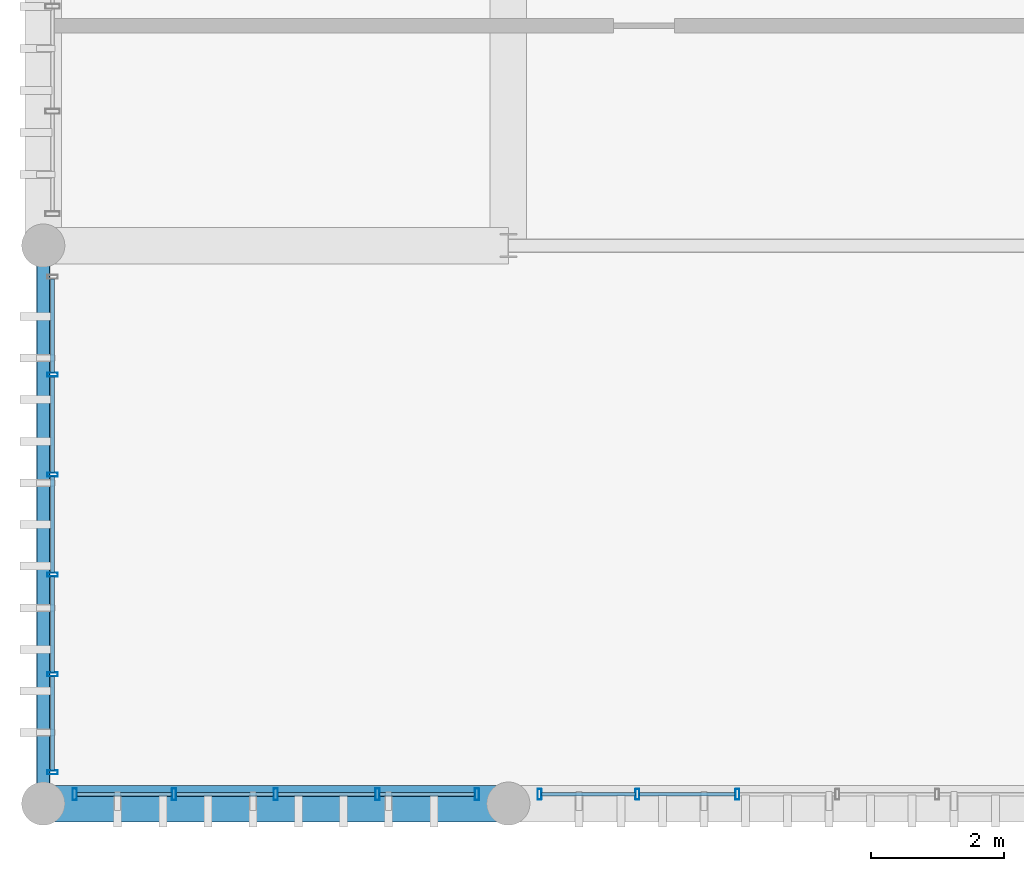
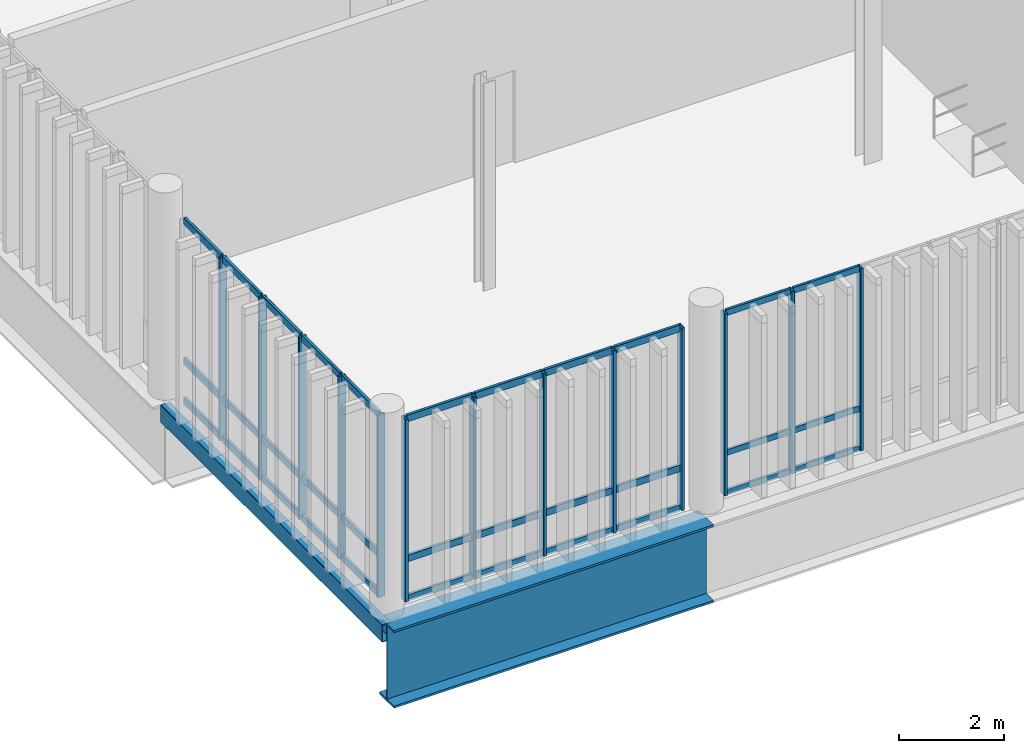
# One storey, part 6 of 81: 46 members, 2 beams, 3 elements without a shape of their own.
"""IFC4 building model written with IfcOpenShell, lengths in metres."""

from ifc_helpers import new_model, si_unit, direction, frame, origin_with_axes, origin_2d_with_axis, place, context, subcontext, project, spatial, hollow_rectangle, i_section, extrude, material, material_profile, profile_set, type_object, element, aggregate, save


model = new_model("IFC4")

# Units and contexts
model_context = context("Model", 3, precision=1e-05, world=origin_with_axes(), true_north=direction((0.0, 1.0)))
body_context = subcontext(model_context, "Body", "Model", "MODEL_VIEW")
ifc_project = project(units=[si_unit("LENGTHUNIT", "METRE"), si_unit("AREAUNIT", "SQUARE_METRE"), si_unit("VOLUMEUNIT", "CUBIC_METRE"), si_unit("PLANEANGLEUNIT", "RADIAN"), si_unit("MASSUNIT", "GRAM", prefix="KILO"), si_unit("THERMODYNAMICTEMPERATUREUNIT", "KELVIN")], contexts=[model_context])

# Site, building, storey
site_placement = place(None, origin_with_axes())
site = spatial("IfcSite", under=ifc_project, at=site_placement, CompositionType="ELEMENT")
building_placement = place(site_placement, origin_with_axes())
building = spatial("IfcBuilding", under=site, at=building_placement, Name="Montbau Bow Law Courts", CompositionType="ELEMENT")
storey_placement = place(building_placement, frame((0.0, 0.0, 24.9), z_axis=(0.0, 0.0, 1.0), x_axis=(1.0, 0.0, 0.0)))
storey = spatial("IfcBuildingStorey", under=building, at=storey_placement, Name="L05", CompositionType="ELEMENT", Elevation=24.9)

# Beams
ifc_material_1 = material(Name="Steel CSA G40.21 Grade 350WT (350 MPa)", Category="steel")
ifc_material_profile_1 = material_profile(ifc_material_1, hollow_rectangle(XDim=0.203, YDim=0.406, WallThickness=0.0127, InnerFilletRadius=0.0254, OuterFilletRadius=0.0127, at=origin_2d_with_axis()), Name="HSS406X203X13", Category="Main", Priority=0)
ifc_profile_set_1 = profile_set([ifc_material_profile_1], Name="Steel CSA G40.21 Grade 350WT (350 MPa)")
beam_type_1 = type_object("IfcBeamType", Name="B-SPN-01", PredefinedType="SPANDREL", material=ifc_profile_set_1)
beam_1_placement = place(None, frame((6.8, 30.6, 24.397), z_axis=(0.0, 1.0, 0.0), x_axis=(-1.0, 0.0, 0.0)))
element("IfcBeam", 1, at=beam_1_placement, inside=storey, type_object=beam_type_1, Name="SPN-L05-S0662:bm2_0665", PredefinedType="SPANDREL", context=body_context, shape_type="SweptSolid", body=[
    extrude(hollow_rectangle(XDim=0.203, YDim=0.406, WallThickness=0.0127, InnerFilletRadius=0.0254, OuterFilletRadius=0.0127, at=origin_2d_with_axis()), origin_with_axes(), (0.0, 0.0, 1.0), 8.4),
])
ifc_material_profile_2 = material_profile(ifc_material_1, i_section(OverallWidth=0.55, OverallDepth=1.8, WebThickness=0.022, FlangeThickness=0.05, at=origin_2d_with_axis()), Name="WWF1800X550", Category="Main", Priority=0)
ifc_profile_set_2 = profile_set([ifc_material_profile_2], Name="Steel CSA G40.21 Grade 350WT (350 MPa)")
beam_type_2 = type_object("IfcBeamType", Name="B-TRG-01", PredefinedType="USERDEFINED", material=ifc_profile_set_2)
beam_2_placement = place(None, frame((6.8, 30.6, 23.7), z_axis=(1.0, 0.0, 0.0), x_axis=(0.0, 1.0, 0.0)))
element("IfcBeam", 2, at=beam_2_placement, inside=storey, type_object=beam_type_2, Name="TRG-L05-S0044:bm2_0047", ObjectType="GIRDER", PredefinedType="USERDEFINED", context=body_context, shape_type="SweptSolid", body=[
    extrude(i_section(OverallWidth=0.55, OverallDepth=1.8, WebThickness=0.022, FlangeThickness=0.05, at=origin_2d_with_axis()), origin_with_axes(), (0.0, 0.0, 1.0), 7.0),
])

# Curtain wall, members
ifc_material_2 = material(Name="Thermally Broken Extruded Aluminium AA 6063-T6", Category="aluminium")
curtain_wall_type = type_object("IfcCurtainWallType", Name="CW-TRC-02", PredefinedType="NOTDEFINED", material=ifc_material_2)
curtain_wall_1_placement = place(None, frame((7.24, 30.74, 24.9), z_axis=(0.0, 0.0, 1.0), x_axis=(1.0, 0.0, 0.0)))
curtain_wall_1 = element("IfcCurtainWall", 3, at=curtain_wall_1_placement, inside=storey, type_object=curtain_wall_type, Name="CW-L05-076:cw_0076", PredefinedType="NOTDEFINED")
ifc_material_profile_3 = material_profile(ifc_material_2, hollow_rectangle(XDim=0.065, YDim=0.18, WallThickness=0.005, InnerFilletRadius=0.01, OuterFilletRadius=0.005, at=origin_2d_with_axis()), Name="CWM-180X65", Category="Main", Priority=0)
ifc_profile_set_3 = profile_set([ifc_material_profile_3], Name="Thermally Broken Extruded Aluminium AA 6063-T6")
member_type_1 = type_object("IfcMemberType", Name="M-MUL-02", PredefinedType="MULLION", material=ifc_profile_set_3)
member_1_placement = place(None, frame((7.273, 30.74, 24.9), z_axis=(0.0, 0.0, 1.0), x_axis=(1.0, 0.0, 0.0)))
member_1 = element("IfcMember", 4, at=member_1_placement, type_object=member_type_1, Name="CW-L05-076-M01:cw_0076_M01", PredefinedType="MULLION", context=body_context, shape_type="SweptSolid", body=[
    extrude(hollow_rectangle(XDim=0.065, YDim=0.18, WallThickness=0.005, InnerFilletRadius=0.01, OuterFilletRadius=0.005, at=origin_2d_with_axis()), origin_with_axes(), (0.0, 0.0, 1.0), 4.22),
])
member_2_placement = place(None, frame((8.77, 30.74, 24.9), z_axis=(0.0, 0.0, 1.0), x_axis=(1.0, 0.0, 0.0)))
member_2 = element("IfcMember", 5, at=member_2_placement, type_object=member_type_1, Name="CW-L05-076-M02:cw_0076_M02", PredefinedType="MULLION", context=body_context, shape_type="SweptSolid", body=[
    extrude(hollow_rectangle(XDim=0.065, YDim=0.18, WallThickness=0.005, InnerFilletRadius=0.01, OuterFilletRadius=0.005, at=origin_2d_with_axis()), origin_with_axes(), (0.0, 0.0, 1.0), 4.22),
])
member_3_placement = place(None, frame((10.3, 30.74, 24.9), z_axis=(0.0, 0.0, 1.0), x_axis=(1.0, 0.0, 0.0)))
member_3 = element("IfcMember", 6, at=member_3_placement, type_object=member_type_1, Name="CW-L05-076-M03:cw_0076_M03", PredefinedType="MULLION", context=body_context, shape_type="SweptSolid", body=[
    extrude(hollow_rectangle(XDim=0.065, YDim=0.18, WallThickness=0.005, InnerFilletRadius=0.01, OuterFilletRadius=0.005, at=origin_2d_with_axis()), origin_with_axes(), (0.0, 0.0, 1.0), 4.22),
])
member_4_placement = place(None, frame((11.83, 30.74, 24.9), z_axis=(0.0, 0.0, 1.0), x_axis=(1.0, 0.0, 0.0)))
member_4 = element("IfcMember", 7, at=member_4_placement, type_object=member_type_1, Name="CW-L05-076-M04:cw_0076_M04", PredefinedType="MULLION", context=body_context, shape_type="SweptSolid", body=[
    extrude(hollow_rectangle(XDim=0.065, YDim=0.18, WallThickness=0.005, InnerFilletRadius=0.01, OuterFilletRadius=0.005, at=origin_2d_with_axis()), origin_with_axes(), (0.0, 0.0, 1.0), 4.22),
])
member_5_placement = place(None, frame((13.327, 30.74, 24.9), z_axis=(0.0, 0.0, 1.0), x_axis=(1.0, 0.0, 0.0)))
member_5 = element("IfcMember", 8, at=member_5_placement, type_object=member_type_1, Name="CW-L05-076-M05:cw_0076_M05", PredefinedType="MULLION", context=body_context, shape_type="SweptSolid", body=[
    extrude(hollow_rectangle(XDim=0.065, YDim=0.18, WallThickness=0.005, InnerFilletRadius=0.01, OuterFilletRadius=0.005, at=origin_2d_with_axis()), origin_with_axes(), (0.0, 0.0, 1.0), 4.22),
])

curtain_wall_2_placement = place(None, frame((14.24, 30.74, 24.9), z_axis=(0.0, 0.0, 1.0), x_axis=(1.0, 0.0, 0.0)))
curtain_wall_2 = element("IfcCurtainWall", 9, at=curtain_wall_2_placement, inside=storey, type_object=curtain_wall_type, Name="CW-L05-077:cw_0077", PredefinedType="NOTDEFINED")
ifc_material_profile_4 = material_profile(ifc_material_2, hollow_rectangle(XDim=0.06, YDim=0.16, WallThickness=0.004, InnerFilletRadius=0.008, OuterFilletRadius=0.004, at=origin_2d_with_axis()), Name="CWM-160X60", Category="Main", Priority=0)
ifc_profile_set_4 = profile_set([ifc_material_profile_4], Name="Thermally Broken Extruded Aluminium AA 6063-T6")
member_type_2 = type_object("IfcMemberType", Name="M-MUL-03", PredefinedType="MULLION", material=ifc_profile_set_4)
member_6_placement = place(None, frame((14.27, 30.74, 24.9), z_axis=(0.0, 0.0, 1.0), x_axis=(1.0, 0.0, 0.0)))
member_6 = element("IfcMember", 10, at=member_6_placement, type_object=member_type_2, Name="CW-L05-077-M01:cw_0077_M01", PredefinedType="MULLION", context=body_context, shape_type="SweptSolid", body=[
    extrude(hollow_rectangle(XDim=0.06, YDim=0.16, WallThickness=0.004, InnerFilletRadius=0.008, OuterFilletRadius=0.004, at=origin_2d_with_axis()), origin_with_axes(), (0.0, 0.0, 1.0), 4.22),
])
member_7_placement = place(None, frame((15.744, 30.74, 24.9), z_axis=(0.0, 0.0, 1.0), x_axis=(1.0, 0.0, 0.0)))
member_7 = element("IfcMember", 11, at=member_7_placement, type_object=member_type_2, Name="CW-L05-077-M02:cw_0077_M02", PredefinedType="MULLION", context=body_context, shape_type="SweptSolid", body=[
    extrude(hollow_rectangle(XDim=0.06, YDim=0.16, WallThickness=0.004, InnerFilletRadius=0.008, OuterFilletRadius=0.004, at=origin_2d_with_axis()), origin_with_axes(), (0.0, 0.0, 1.0), 4.22),
])
member_8_placement = place(None, frame((17.248, 30.74, 24.9), z_axis=(0.0, 0.0, 1.0), x_axis=(1.0, 0.0, 0.0)))
member_8 = element("IfcMember", 12, at=member_8_placement, type_object=member_type_2, Name="CW-L05-077-M03:cw_0077_M03", PredefinedType="MULLION", context=body_context, shape_type="SweptSolid", body=[
    extrude(hollow_rectangle(XDim=0.06, YDim=0.16, WallThickness=0.004, InnerFilletRadius=0.008, OuterFilletRadius=0.004, at=origin_2d_with_axis()), origin_with_axes(), (0.0, 0.0, 1.0), 4.22),
])

curtain_wall_3_placement = place(None, frame((6.94, 31.04, 24.9), z_axis=(0.0, 0.0, 1.0), x_axis=(1.0, 0.0, 0.0)))
curtain_wall_3 = element("IfcCurtainWall", 13, at=curtain_wall_3_placement, inside=storey, type_object=curtain_wall_type, Name="CW-L05-086:cw_0086", PredefinedType="NOTDEFINED")
member_9_placement = place(None, frame((6.94, 31.07, 24.9), z_axis=(0.0, 0.0, 1.0), x_axis=(0.0, 1.0, 0.0)))
member_9 = element("IfcMember", 14, at=member_9_placement, type_object=member_type_2, Name="CW-L05-086-M01:cw_0086_M01", PredefinedType="MULLION", context=body_context, shape_type="SweptSolid", body=[
    extrude(hollow_rectangle(XDim=0.06, YDim=0.16, WallThickness=0.004, InnerFilletRadius=0.008, OuterFilletRadius=0.004, at=origin_2d_with_axis()), origin_with_axes(), (0.0, 0.0, 1.0), 4.22),
])
member_10_placement = place(None, frame((6.94, 32.544, 24.9), z_axis=(0.0, 0.0, 1.0), x_axis=(0.0, 1.0, 0.0)))
member_10 = element("IfcMember", 15, at=member_10_placement, type_object=member_type_2, Name="CW-L05-086-M02:cw_0086_M02", PredefinedType="MULLION", context=body_context, shape_type="SweptSolid", body=[
    extrude(hollow_rectangle(XDim=0.06, YDim=0.16, WallThickness=0.004, InnerFilletRadius=0.008, OuterFilletRadius=0.004, at=origin_2d_with_axis()), origin_with_axes(), (0.0, 0.0, 1.0), 4.22),
])
member_11_placement = place(None, frame((6.94, 34.048, 24.9), z_axis=(0.0, 0.0, 1.0), x_axis=(0.0, 1.0, 0.0)))
member_11 = element("IfcMember", 16, at=member_11_placement, type_object=member_type_2, Name="CW-L05-086-M03:cw_0086_M03", PredefinedType="MULLION", context=body_context, shape_type="SweptSolid", body=[
    extrude(hollow_rectangle(XDim=0.06, YDim=0.16, WallThickness=0.004, InnerFilletRadius=0.008, OuterFilletRadius=0.004, at=origin_2d_with_axis()), origin_with_axes(), (0.0, 0.0, 1.0), 4.22),
])
member_12_placement = place(None, frame((6.94, 35.552, 24.9), z_axis=(0.0, 0.0, 1.0), x_axis=(0.0, 1.0, 0.0)))
member_12 = element("IfcMember", 17, at=member_12_placement, type_object=member_type_2, Name="CW-L05-086-M04:cw_0086_M04", PredefinedType="MULLION", context=body_context, shape_type="SweptSolid", body=[
    extrude(hollow_rectangle(XDim=0.06, YDim=0.16, WallThickness=0.004, InnerFilletRadius=0.008, OuterFilletRadius=0.004, at=origin_2d_with_axis()), origin_with_axes(), (0.0, 0.0, 1.0), 4.22),
])
member_13_placement = place(None, frame((6.94, 37.056, 24.9), z_axis=(0.0, 0.0, 1.0), x_axis=(0.0, 1.0, 0.0)))
member_13 = element("IfcMember", 18, at=member_13_placement, type_object=member_type_2, Name="CW-L05-086-M05:cw_0086_M05", PredefinedType="MULLION", context=body_context, shape_type="SweptSolid", body=[
    extrude(hollow_rectangle(XDim=0.06, YDim=0.16, WallThickness=0.004, InnerFilletRadius=0.008, OuterFilletRadius=0.004, at=origin_2d_with_axis()), origin_with_axes(), (0.0, 0.0, 1.0), 4.22),
])

# Member
ifc_material_profile_5 = material_profile(ifc_material_2, hollow_rectangle(XDim=0.06, YDim=0.16, WallThickness=0.004, InnerFilletRadius=0.008, OuterFilletRadius=0.004, at=origin_2d_with_axis()), Name="CWT-160X60", Category="Main", Priority=0)
ifc_profile_set_5 = profile_set([ifc_material_profile_5], Name="Thermally Broken Extruded Aluminium AA 6063-T6")
member_type_3 = type_object("IfcMemberType", Name="M-TRN-01", PredefinedType="USERDEFINED", material=ifc_profile_set_5)
member_14_placement = place(None, frame((7.308, 30.74, 24.93), z_axis=(1.0, 0.0, 0.0), x_axis=(0.0, 1.0, 0.0)))
member_14 = element("IfcMember", 19, at=member_14_placement, type_object=member_type_3, Name="CW-L05-076-T01-1:cw_0076_T01_1", ObjectType="TRANSOM", PredefinedType="USERDEFINED", context=body_context, shape_type="SweptSolid", body=[
    extrude(hollow_rectangle(XDim=0.06, YDim=0.16, WallThickness=0.004, InnerFilletRadius=0.008, OuterFilletRadius=0.004, at=origin_2d_with_axis()), origin_with_axes(), (0.0, 0.0, 1.0), 1.428),
])

member_15_placement = place(None, frame((7.308, 30.74, 25.85), z_axis=(1.0, 0.0, 0.0), x_axis=(0.0, 1.0, 0.0)))
member_15 = element("IfcMember", 20, at=member_15_placement, type_object=member_type_3, Name="CW-L05-076-T01-2:cw_0076_T01_2", ObjectType="TRANSOM", PredefinedType="USERDEFINED", context=body_context, shape_type="SweptSolid", body=[
    extrude(hollow_rectangle(XDim=0.06, YDim=0.16, WallThickness=0.004, InnerFilletRadius=0.008, OuterFilletRadius=0.004, at=origin_2d_with_axis()), origin_with_axes(), (0.0, 0.0, 1.0), 1.428),
])

member_16_placement = place(None, frame((7.308, 30.74, 29.09), z_axis=(1.0, 0.0, 0.0), x_axis=(0.0, 1.0, 0.0)))
member_16 = element("IfcMember", 21, at=member_16_placement, type_object=member_type_3, Name="CW-L05-076-T01-3:cw_0076_T01_3", ObjectType="TRANSOM", PredefinedType="USERDEFINED", context=body_context, shape_type="SweptSolid", body=[
    extrude(hollow_rectangle(XDim=0.06, YDim=0.16, WallThickness=0.004, InnerFilletRadius=0.008, OuterFilletRadius=0.004, at=origin_2d_with_axis()), origin_with_axes(), (0.0, 0.0, 1.0), 1.428),
])

member_17_placement = place(None, frame((8.805, 30.74, 24.93), z_axis=(1.0, 0.0, 0.0), x_axis=(0.0, 1.0, 0.0)))
member_17 = element("IfcMember", 22, at=member_17_placement, type_object=member_type_3, Name="CW-L05-076-T02-1:cw_0076_T02_1", ObjectType="TRANSOM", PredefinedType="USERDEFINED", context=body_context, shape_type="SweptSolid", body=[
    extrude(hollow_rectangle(XDim=0.06, YDim=0.16, WallThickness=0.004, InnerFilletRadius=0.008, OuterFilletRadius=0.004, at=origin_2d_with_axis()), origin_with_axes(), (0.0, 0.0, 1.0), 1.461),
])

member_18_placement = place(None, frame((8.805, 30.74, 25.85), z_axis=(1.0, 0.0, 0.0), x_axis=(0.0, 1.0, 0.0)))
member_18 = element("IfcMember", 23, at=member_18_placement, type_object=member_type_3, Name="CW-L05-076-T02-2:cw_0076_T02_2", ObjectType="TRANSOM", PredefinedType="USERDEFINED", context=body_context, shape_type="SweptSolid", body=[
    extrude(hollow_rectangle(XDim=0.06, YDim=0.16, WallThickness=0.004, InnerFilletRadius=0.008, OuterFilletRadius=0.004, at=origin_2d_with_axis()), origin_with_axes(), (0.0, 0.0, 1.0), 1.461),
])

member_19_placement = place(None, frame((8.805, 30.74, 29.09), z_axis=(1.0, 0.0, 0.0), x_axis=(0.0, 1.0, 0.0)))
member_19 = element("IfcMember", 24, at=member_19_placement, type_object=member_type_3, Name="CW-L05-076-T02-3:cw_0076_T02_3", ObjectType="TRANSOM", PredefinedType="USERDEFINED", context=body_context, shape_type="SweptSolid", body=[
    extrude(hollow_rectangle(XDim=0.06, YDim=0.16, WallThickness=0.004, InnerFilletRadius=0.008, OuterFilletRadius=0.004, at=origin_2d_with_axis()), origin_with_axes(), (0.0, 0.0, 1.0), 1.461),
])

member_20_placement = place(None, frame((10.335, 30.74, 24.93), z_axis=(1.0, 0.0, 0.0), x_axis=(0.0, 1.0, 0.0)))
member_20 = element("IfcMember", 25, at=member_20_placement, type_object=member_type_3, Name="CW-L05-076-T03-1:cw_0076_T03_1", ObjectType="TRANSOM", PredefinedType="USERDEFINED", context=body_context, shape_type="SweptSolid", body=[
    extrude(hollow_rectangle(XDim=0.06, YDim=0.16, WallThickness=0.004, InnerFilletRadius=0.008, OuterFilletRadius=0.004, at=origin_2d_with_axis()), origin_with_axes(), (0.0, 0.0, 1.0), 1.461),
])

member_21_placement = place(None, frame((10.335, 30.74, 25.85), z_axis=(1.0, 0.0, 0.0), x_axis=(0.0, 1.0, 0.0)))
member_21 = element("IfcMember", 26, at=member_21_placement, type_object=member_type_3, Name="CW-L05-076-T03-2:cw_0076_T03_2", ObjectType="TRANSOM", PredefinedType="USERDEFINED", context=body_context, shape_type="SweptSolid", body=[
    extrude(hollow_rectangle(XDim=0.06, YDim=0.16, WallThickness=0.004, InnerFilletRadius=0.008, OuterFilletRadius=0.004, at=origin_2d_with_axis()), origin_with_axes(), (0.0, 0.0, 1.0), 1.461),
])

member_22_placement = place(None, frame((10.335, 30.74, 29.09), z_axis=(1.0, 0.0, 0.0), x_axis=(0.0, 1.0, 0.0)))
member_22 = element("IfcMember", 27, at=member_22_placement, type_object=member_type_3, Name="CW-L05-076-T03-3:cw_0076_T03_3", ObjectType="TRANSOM", PredefinedType="USERDEFINED", context=body_context, shape_type="SweptSolid", body=[
    extrude(hollow_rectangle(XDim=0.06, YDim=0.16, WallThickness=0.004, InnerFilletRadius=0.008, OuterFilletRadius=0.004, at=origin_2d_with_axis()), origin_with_axes(), (0.0, 0.0, 1.0), 1.461),
])

member_23_placement = place(None, frame((11.864, 30.74, 24.93), z_axis=(1.0, 0.0, 0.0), x_axis=(0.0, 1.0, 0.0)))
member_23 = element("IfcMember", 28, at=member_23_placement, type_object=member_type_3, Name="CW-L05-076-T04-1:cw_0076_T04_1", ObjectType="TRANSOM", PredefinedType="USERDEFINED", context=body_context, shape_type="SweptSolid", body=[
    extrude(hollow_rectangle(XDim=0.06, YDim=0.16, WallThickness=0.004, InnerFilletRadius=0.008, OuterFilletRadius=0.004, at=origin_2d_with_axis()), origin_with_axes(), (0.0, 0.0, 1.0), 1.429),
])

member_24_placement = place(None, frame((11.864, 30.74, 25.85), z_axis=(1.0, 0.0, 0.0), x_axis=(0.0, 1.0, 0.0)))
member_24 = element("IfcMember", 29, at=member_24_placement, type_object=member_type_3, Name="CW-L05-076-T04-2:cw_0076_T04_2", ObjectType="TRANSOM", PredefinedType="USERDEFINED", context=body_context, shape_type="SweptSolid", body=[
    extrude(hollow_rectangle(XDim=0.06, YDim=0.16, WallThickness=0.004, InnerFilletRadius=0.008, OuterFilletRadius=0.004, at=origin_2d_with_axis()), origin_with_axes(), (0.0, 0.0, 1.0), 1.429),
])

member_25_placement = place(None, frame((11.864, 30.74, 29.09), z_axis=(1.0, 0.0, 0.0), x_axis=(0.0, 1.0, 0.0)))
member_25 = element("IfcMember", 30, at=member_25_placement, type_object=member_type_3, Name="CW-L05-076-T04-3:cw_0076_T04_3", ObjectType="TRANSOM", PredefinedType="USERDEFINED", context=body_context, shape_type="SweptSolid", body=[
    extrude(hollow_rectangle(XDim=0.06, YDim=0.16, WallThickness=0.004, InnerFilletRadius=0.008, OuterFilletRadius=0.004, at=origin_2d_with_axis()), origin_with_axes(), (0.0, 0.0, 1.0), 1.429),
])

aggregate(curtain_wall_1, [member_1, member_2, member_3, member_4, member_5, member_14, member_15, member_16, member_17, member_18, member_19, member_20, member_21, member_22, member_23, member_24, member_25])

member_26_placement = place(None, frame((6.94, 31.102, 24.93), z_axis=(0.0, 1.0, 0.0), x_axis=(-1.0, 0.0, 0.0)))
member_26 = element("IfcMember", 31, at=member_26_placement, type_object=member_type_3, Name="CW-L05-086-T01-1:cw_0086_T01_1", ObjectType="TRANSOM", PredefinedType="USERDEFINED", context=body_context, shape_type="SweptSolid", body=[
    extrude(hollow_rectangle(XDim=0.06, YDim=0.16, WallThickness=0.004, InnerFilletRadius=0.008, OuterFilletRadius=0.004, at=origin_2d_with_axis()), origin_with_axes(), (0.0, 0.0, 1.0), 1.41),
])

member_27_placement = place(None, frame((6.94, 31.102, 25.85), z_axis=(0.0, 1.0, 0.0), x_axis=(-1.0, 0.0, 0.0)))
member_27 = element("IfcMember", 32, at=member_27_placement, type_object=member_type_3, Name="CW-L05-086-T01-2:cw_0086_T01_2", ObjectType="TRANSOM", PredefinedType="USERDEFINED", context=body_context, shape_type="SweptSolid", body=[
    extrude(hollow_rectangle(XDim=0.06, YDim=0.16, WallThickness=0.004, InnerFilletRadius=0.008, OuterFilletRadius=0.004, at=origin_2d_with_axis()), origin_with_axes(), (0.0, 0.0, 1.0), 1.41),
])

member_28_placement = place(None, frame((6.94, 31.102, 29.09), z_axis=(0.0, 1.0, 0.0), x_axis=(-1.0, 0.0, 0.0)))
member_28 = element("IfcMember", 33, at=member_28_placement, type_object=member_type_3, Name="CW-L05-086-T01-3:cw_0086_T01_3", ObjectType="TRANSOM", PredefinedType="USERDEFINED", context=body_context, shape_type="SweptSolid", body=[
    extrude(hollow_rectangle(XDim=0.06, YDim=0.16, WallThickness=0.004, InnerFilletRadius=0.008, OuterFilletRadius=0.004, at=origin_2d_with_axis()), origin_with_axes(), (0.0, 0.0, 1.0), 1.41),
])

member_29_placement = place(None, frame((6.94, 32.576, 24.93), z_axis=(0.0, 1.0, 0.0), x_axis=(-1.0, 0.0, 0.0)))
member_29 = element("IfcMember", 34, at=member_29_placement, type_object=member_type_3, Name="CW-L05-086-T02-1:cw_0086_T02_1", ObjectType="TRANSOM", PredefinedType="USERDEFINED", context=body_context, shape_type="SweptSolid", body=[
    extrude(hollow_rectangle(XDim=0.06, YDim=0.16, WallThickness=0.004, InnerFilletRadius=0.008, OuterFilletRadius=0.004, at=origin_2d_with_axis()), origin_with_axes(), (0.0, 0.0, 1.0), 1.44),
])

member_30_placement = place(None, frame((6.94, 32.576, 25.85), z_axis=(0.0, 1.0, 0.0), x_axis=(-1.0, 0.0, 0.0)))
member_30 = element("IfcMember", 35, at=member_30_placement, type_object=member_type_3, Name="CW-L05-086-T02-2:cw_0086_T02_2", ObjectType="TRANSOM", PredefinedType="USERDEFINED", context=body_context, shape_type="SweptSolid", body=[
    extrude(hollow_rectangle(XDim=0.06, YDim=0.16, WallThickness=0.004, InnerFilletRadius=0.008, OuterFilletRadius=0.004, at=origin_2d_with_axis()), origin_with_axes(), (0.0, 0.0, 1.0), 1.44),
])

member_31_placement = place(None, frame((6.94, 32.576, 29.09), z_axis=(0.0, 1.0, 0.0), x_axis=(-1.0, 0.0, 0.0)))
member_31 = element("IfcMember", 36, at=member_31_placement, type_object=member_type_3, Name="CW-L05-086-T02-3:cw_0086_T02_3", ObjectType="TRANSOM", PredefinedType="USERDEFINED", context=body_context, shape_type="SweptSolid", body=[
    extrude(hollow_rectangle(XDim=0.06, YDim=0.16, WallThickness=0.004, InnerFilletRadius=0.008, OuterFilletRadius=0.004, at=origin_2d_with_axis()), origin_with_axes(), (0.0, 0.0, 1.0), 1.44),
])

member_32_placement = place(None, frame((6.94, 34.08, 24.93), z_axis=(0.0, 1.0, 0.0), x_axis=(-1.0, 0.0, 0.0)))
member_32 = element("IfcMember", 37, at=member_32_placement, type_object=member_type_3, Name="CW-L05-086-T03-1:cw_0086_T03_1", ObjectType="TRANSOM", PredefinedType="USERDEFINED", context=body_context, shape_type="SweptSolid", body=[
    extrude(hollow_rectangle(XDim=0.06, YDim=0.16, WallThickness=0.004, InnerFilletRadius=0.008, OuterFilletRadius=0.004, at=origin_2d_with_axis()), origin_with_axes(), (0.0, 0.0, 1.0), 1.44),
])

member_33_placement = place(None, frame((6.94, 34.08, 25.85), z_axis=(0.0, 1.0, 0.0), x_axis=(-1.0, 0.0, 0.0)))
member_33 = element("IfcMember", 38, at=member_33_placement, type_object=member_type_3, Name="CW-L05-086-T03-2:cw_0086_T03_2", ObjectType="TRANSOM", PredefinedType="USERDEFINED", context=body_context, shape_type="SweptSolid", body=[
    extrude(hollow_rectangle(XDim=0.06, YDim=0.16, WallThickness=0.004, InnerFilletRadius=0.008, OuterFilletRadius=0.004, at=origin_2d_with_axis()), origin_with_axes(), (0.0, 0.0, 1.0), 1.44),
])

member_34_placement = place(None, frame((6.94, 34.08, 29.09), z_axis=(0.0, 1.0, 0.0), x_axis=(-1.0, 0.0, 0.0)))
member_34 = element("IfcMember", 39, at=member_34_placement, type_object=member_type_3, Name="CW-L05-086-T03-3:cw_0086_T03_3", ObjectType="TRANSOM", PredefinedType="USERDEFINED", context=body_context, shape_type="SweptSolid", body=[
    extrude(hollow_rectangle(XDim=0.06, YDim=0.16, WallThickness=0.004, InnerFilletRadius=0.008, OuterFilletRadius=0.004, at=origin_2d_with_axis()), origin_with_axes(), (0.0, 0.0, 1.0), 1.44),
])

member_35_placement = place(None, frame((6.94, 35.584, 24.93), z_axis=(0.0, 1.0, 0.0), x_axis=(-1.0, 0.0, 0.0)))
member_35 = element("IfcMember", 40, at=member_35_placement, type_object=member_type_3, Name="CW-L05-086-T04-1:cw_0086_T04_1", ObjectType="TRANSOM", PredefinedType="USERDEFINED", context=body_context, shape_type="SweptSolid", body=[
    extrude(hollow_rectangle(XDim=0.06, YDim=0.16, WallThickness=0.004, InnerFilletRadius=0.008, OuterFilletRadius=0.004, at=origin_2d_with_axis()), origin_with_axes(), (0.0, 0.0, 1.0), 1.44),
])

member_36_placement = place(None, frame((6.94, 35.584, 25.85), z_axis=(0.0, 1.0, 0.0), x_axis=(-1.0, 0.0, 0.0)))
member_36 = element("IfcMember", 41, at=member_36_placement, type_object=member_type_3, Name="CW-L05-086-T04-2:cw_0086_T04_2", ObjectType="TRANSOM", PredefinedType="USERDEFINED", context=body_context, shape_type="SweptSolid", body=[
    extrude(hollow_rectangle(XDim=0.06, YDim=0.16, WallThickness=0.004, InnerFilletRadius=0.008, OuterFilletRadius=0.004, at=origin_2d_with_axis()), origin_with_axes(), (0.0, 0.0, 1.0), 1.44),
])

member_37_placement = place(None, frame((6.94, 35.584, 29.09), z_axis=(0.0, 1.0, 0.0), x_axis=(-1.0, 0.0, 0.0)))
member_37 = element("IfcMember", 42, at=member_37_placement, type_object=member_type_3, Name="CW-L05-086-T04-3:cw_0086_T04_3", ObjectType="TRANSOM", PredefinedType="USERDEFINED", context=body_context, shape_type="SweptSolid", body=[
    extrude(hollow_rectangle(XDim=0.06, YDim=0.16, WallThickness=0.004, InnerFilletRadius=0.008, OuterFilletRadius=0.004, at=origin_2d_with_axis()), origin_with_axes(), (0.0, 0.0, 1.0), 1.44),
])

member_38_placement = place(None, frame((6.94, 37.088, 24.93), z_axis=(0.0, 1.0, 0.0), x_axis=(-1.0, 0.0, 0.0)))
member_38 = element("IfcMember", 43, at=member_38_placement, type_object=member_type_3, Name="CW-L05-086-T05-1:cw_0086_T05_1", ObjectType="TRANSOM", PredefinedType="USERDEFINED", context=body_context, shape_type="SweptSolid", body=[
    extrude(hollow_rectangle(XDim=0.06, YDim=0.16, WallThickness=0.004, InnerFilletRadius=0.008, OuterFilletRadius=0.004, at=origin_2d_with_axis()), origin_with_axes(), (0.0, 0.0, 1.0), 1.41),
])

member_39_placement = place(None, frame((6.94, 37.088, 25.85), z_axis=(0.0, 1.0, 0.0), x_axis=(-1.0, 0.0, 0.0)))
member_39 = element("IfcMember", 44, at=member_39_placement, type_object=member_type_3, Name="CW-L05-086-T05-2:cw_0086_T05_2", ObjectType="TRANSOM", PredefinedType="USERDEFINED", context=body_context, shape_type="SweptSolid", body=[
    extrude(hollow_rectangle(XDim=0.06, YDim=0.16, WallThickness=0.004, InnerFilletRadius=0.008, OuterFilletRadius=0.004, at=origin_2d_with_axis()), origin_with_axes(), (0.0, 0.0, 1.0), 1.41),
])

member_40_placement = place(None, frame((6.94, 37.088, 29.09), z_axis=(0.0, 1.0, 0.0), x_axis=(-1.0, 0.0, 0.0)))
member_40 = element("IfcMember", 45, at=member_40_placement, type_object=member_type_3, Name="CW-L05-086-T05-3:cw_0086_T05_3", ObjectType="TRANSOM", PredefinedType="USERDEFINED", context=body_context, shape_type="SweptSolid", body=[
    extrude(hollow_rectangle(XDim=0.06, YDim=0.16, WallThickness=0.004, InnerFilletRadius=0.008, OuterFilletRadius=0.004, at=origin_2d_with_axis()), origin_with_axes(), (0.0, 0.0, 1.0), 1.41),
])

aggregate(curtain_wall_3, [member_9, member_10, member_11, member_12, member_13, member_26, member_27, member_28, member_29, member_30, member_31, member_32, member_33, member_34, member_35, member_36, member_37, member_38, member_39, member_40])

ifc_material_profile_6 = material_profile(ifc_material_2, hollow_rectangle(XDim=0.055, YDim=0.14, WallThickness=0.004, InnerFilletRadius=0.008, OuterFilletRadius=0.004, at=origin_2d_with_axis()), Name="CWT-140X55", Category="Main", Priority=0)
ifc_profile_set_6 = profile_set([ifc_material_profile_6], Name="Thermally Broken Extruded Aluminium AA 6063-T6")
member_type_4 = type_object("IfcMemberType", Name="M-TRN-02", PredefinedType="USERDEFINED", material=ifc_profile_set_6)
member_41_placement = place(None, frame((14.302, 30.74, 24.927), z_axis=(1.0, 0.0, 0.0), x_axis=(0.0, 1.0, 0.0)))
member_41 = element("IfcMember", 46, at=member_41_placement, type_object=member_type_4, Name="CW-L05-077-T01-1:cw_0077_T01_1", ObjectType="TRANSOM", PredefinedType="USERDEFINED", context=body_context, shape_type="SweptSolid", body=[
    extrude(hollow_rectangle(XDim=0.055, YDim=0.14, WallThickness=0.004, InnerFilletRadius=0.008, OuterFilletRadius=0.004, at=origin_2d_with_axis()), origin_with_axes(), (0.0, 0.0, 1.0), 1.41),
])

member_42_placement = place(None, frame((14.302, 30.74, 25.85), z_axis=(1.0, 0.0, 0.0), x_axis=(0.0, 1.0, 0.0)))
member_42 = element("IfcMember", 47, at=member_42_placement, type_object=member_type_4, Name="CW-L05-077-T01-2:cw_0077_T01_2", ObjectType="TRANSOM", PredefinedType="USERDEFINED", context=body_context, shape_type="SweptSolid", body=[
    extrude(hollow_rectangle(XDim=0.055, YDim=0.14, WallThickness=0.004, InnerFilletRadius=0.008, OuterFilletRadius=0.004, at=origin_2d_with_axis()), origin_with_axes(), (0.0, 0.0, 1.0), 1.41),
])

member_43_placement = place(None, frame((14.302, 30.74, 29.093), z_axis=(1.0, 0.0, 0.0), x_axis=(0.0, 1.0, 0.0)))
member_43 = element("IfcMember", 48, at=member_43_placement, type_object=member_type_4, Name="CW-L05-077-T01-3:cw_0077_T01_3", ObjectType="TRANSOM", PredefinedType="USERDEFINED", context=body_context, shape_type="SweptSolid", body=[
    extrude(hollow_rectangle(XDim=0.055, YDim=0.14, WallThickness=0.004, InnerFilletRadius=0.008, OuterFilletRadius=0.004, at=origin_2d_with_axis()), origin_with_axes(), (0.0, 0.0, 1.0), 1.41),
])

member_44_placement = place(None, frame((15.776, 30.74, 24.927), z_axis=(1.0, 0.0, 0.0), x_axis=(0.0, 1.0, 0.0)))
member_44 = element("IfcMember", 49, at=member_44_placement, type_object=member_type_4, Name="CW-L05-077-T02-1:cw_0077_T02_1", ObjectType="TRANSOM", PredefinedType="USERDEFINED", context=body_context, shape_type="SweptSolid", body=[
    extrude(hollow_rectangle(XDim=0.055, YDim=0.14, WallThickness=0.004, InnerFilletRadius=0.008, OuterFilletRadius=0.004, at=origin_2d_with_axis()), origin_with_axes(), (0.0, 0.0, 1.0), 1.44),
])

member_45_placement = place(None, frame((15.776, 30.74, 25.85), z_axis=(1.0, 0.0, 0.0), x_axis=(0.0, 1.0, 0.0)))
member_45 = element("IfcMember", 50, at=member_45_placement, type_object=member_type_4, Name="CW-L05-077-T02-2:cw_0077_T02_2", ObjectType="TRANSOM", PredefinedType="USERDEFINED", context=body_context, shape_type="SweptSolid", body=[
    extrude(hollow_rectangle(XDim=0.055, YDim=0.14, WallThickness=0.004, InnerFilletRadius=0.008, OuterFilletRadius=0.004, at=origin_2d_with_axis()), origin_with_axes(), (0.0, 0.0, 1.0), 1.44),
])

member_46_placement = place(None, frame((15.776, 30.74, 29.093), z_axis=(1.0, 0.0, 0.0), x_axis=(0.0, 1.0, 0.0)))
member_46 = element("IfcMember", 51, at=member_46_placement, type_object=member_type_4, Name="CW-L05-077-T02-3:cw_0077_T02_3", ObjectType="TRANSOM", PredefinedType="USERDEFINED", context=body_context, shape_type="SweptSolid", body=[
    extrude(hollow_rectangle(XDim=0.055, YDim=0.14, WallThickness=0.004, InnerFilletRadius=0.008, OuterFilletRadius=0.004, at=origin_2d_with_axis()), origin_with_axes(), (0.0, 0.0, 1.0), 1.44),
])

aggregate(curtain_wall_2, [member_6, member_7, member_8, member_41, member_42, member_43, member_44, member_45, member_46])

save(model, "model.ifc")
